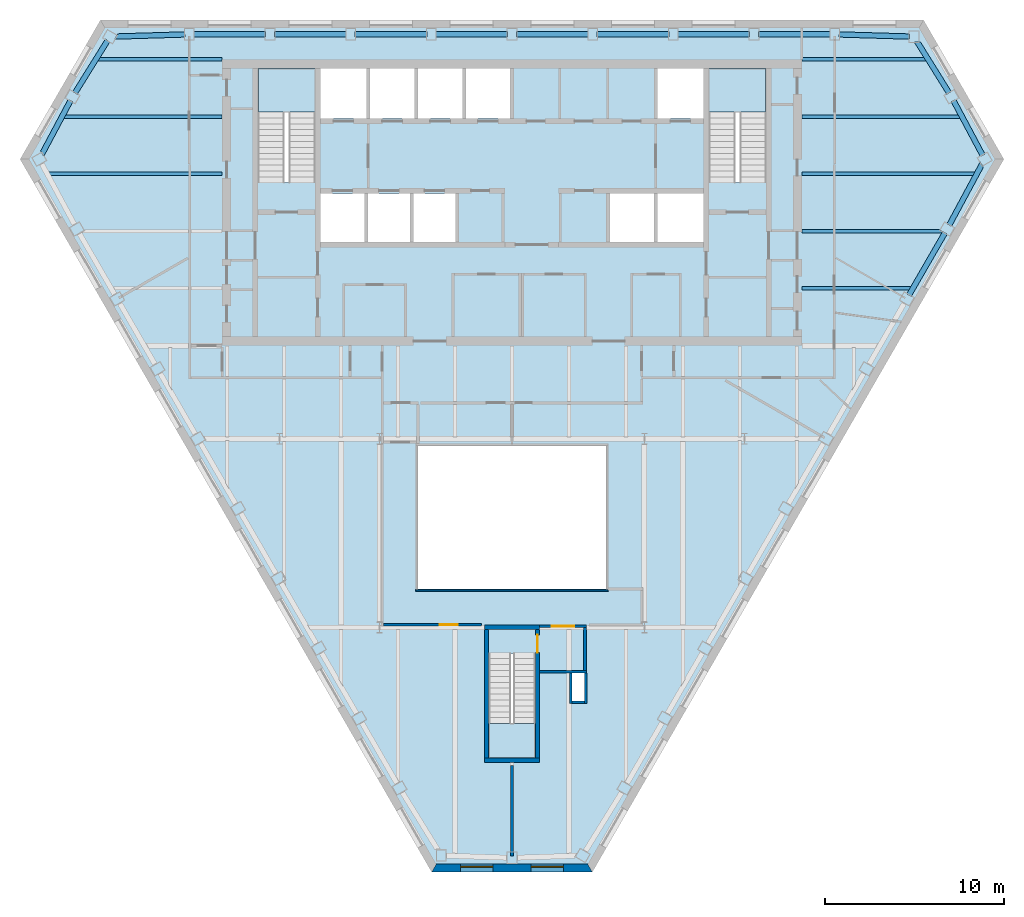
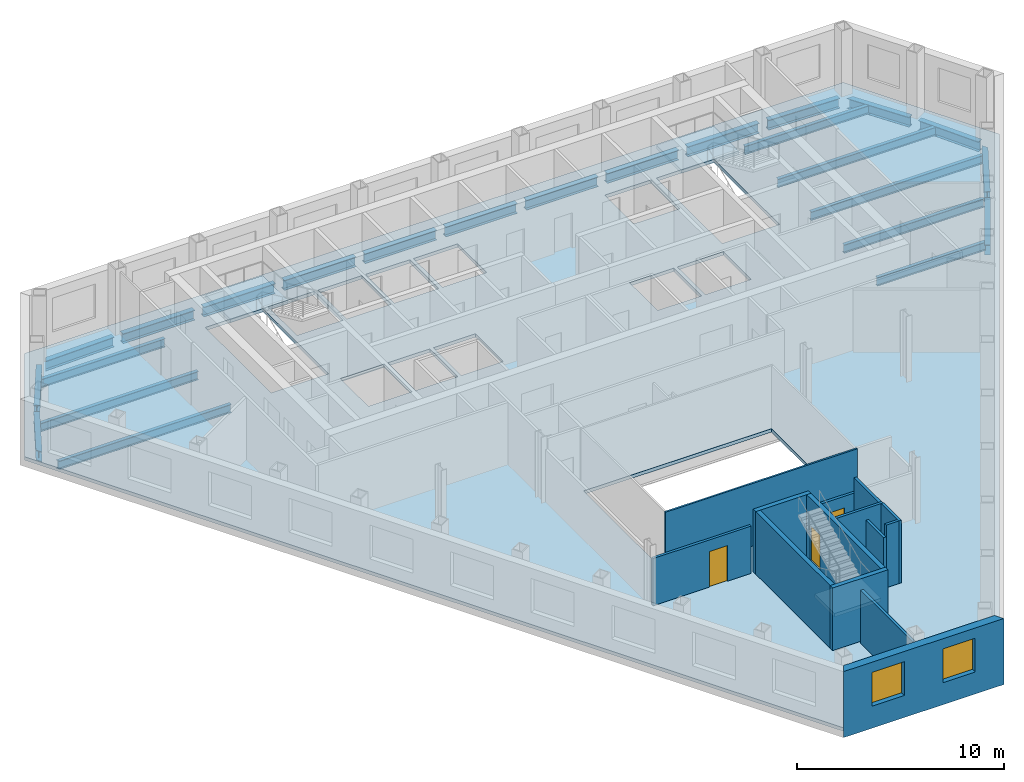
# One storey, part 3 of 11: 24 beams, 14 walls, 4 slabs, 3 doors, 2 windows, 5 openings, 3 elements without a shape of their own.
"""IFC4 building model written with IfcOpenShell, lengths in metres."""

from ifc_helpers import new_model, si_unit, direction, frame, frame_2d, origin, origin_2d, place, context, subcontext, project, spatial, polyline, rectangle, i_section, outline, extrude, clip, halfspace, material, layer, layer_set, material_profile, profile_set, type_object, element, fill, aggregate, save


model = new_model("IFC4")

# Units and contexts
model_context = context("Model", 3, precision=1e-05, world=origin(), true_north=direction((0.0, 1.0)))
body_context = subcontext(model_context, "Body", "Model", "MODEL_VIEW")
ifc_project = project(units=[si_unit("LENGTHUNIT", "METRE"), si_unit("AREAUNIT", "SQUARE_METRE"), si_unit("VOLUMEUNIT", "CUBIC_METRE"), si_unit("PLANEANGLEUNIT", "RADIAN"), si_unit("MASSUNIT", "GRAM", prefix="KILO")], contexts=[model_context])

# Site, building, storey
site_placement = place(None, origin())
site = spatial("IfcSite", under=ifc_project, at=site_placement, CompositionType="ELEMENT")
building_placement = place(site_placement, origin())
building = spatial("IfcBuilding", under=site, at=building_placement, Name="Njiva Tower", CompositionType="ELEMENT")
storey_placement = place(building_placement, frame((0.0, 0.0, 143.7)))
storey = spatial("IfcBuildingStorey", under=building, at=storey_placement, Name="L30", CompositionType="ELEMENT", Elevation=143.7)

# Beams
ifc_material_1 = material(Name="Steel S355 J2", Category="steel")
ifc_material_profile_1 = material_profile(ifc_material_1, i_section(OverallWidth=0.2, OverallDepth=0.5, WebThickness=0.0102, FlangeThickness=0.016, at=origin_2d()), Name="IPE 500")
ifc_profile_set_1 = profile_set([ifc_material_profile_1], Name="Steel S355 J2")
beam_type_1 = type_object("IfcBeamType", Name="B24 Floor beam to the core IPE 500", PredefinedType="BEAM", material=ifc_profile_set_1)
beam_1_placement = place(storey_placement, frame((16.2, 5.2, -0.45), z_axis=(1.0, 0.0, 0.0), x_axis=(0.0, 1.0, 0.0)))
element("IfcBeam", 1, at=beam_1_placement, inside=storey, type_object=beam_type_1, Name="Floor beam to the core S10-B025", PredefinedType="BEAM", context=body_context, shape_type="Clipping", body=[
    clip(extrude(i_section(OverallWidth=0.2, OverallDepth=0.5, WebThickness=0.0102, FlangeThickness=0.016, at=origin_2d()), origin(), (0.0, 0.0, 1.0), 6.164), halfspace(frame((-0.025, 0.0, 6.0711), z_axis=(-0.499998009787, 0.0, 0.866026552831), x_axis=(0.0, 1.0, 0.0)), False)),
])
beam_2_placement = place(storey_placement, frame((16.2, 8.4, -0.45), z_axis=(1.0, 0.0, 0.0), x_axis=(0.0, 1.0, 0.0)))
element("IfcBeam", 2, at=beam_2_placement, inside=storey, type_object=beam_type_1, Name="Floor beam to the core S10-B026", PredefinedType="BEAM", context=body_context, shape_type="Clipping", body=[
    clip(extrude(i_section(OverallWidth=0.2, OverallDepth=0.5, WebThickness=0.0102, FlangeThickness=0.016, at=origin_2d()), origin(), (0.0, 0.0, 1.0), 8.016), halfspace(frame((0.0433, 0.0, 7.7481), z_axis=(0.866026552831, 0.0, 0.499998009787), x_axis=(0.0, 1.0, 0.0)), False)),
])
beam_3_placement = place(storey_placement, frame((-25.11, 14.8, -0.45), z_axis=(1.0, 0.0, 0.0), x_axis=(0.0, 1.0, 0.0)))
element("IfcBeam", 3, at=beam_3_placement, inside=storey, type_object=beam_type_1, Name="Floor beam to the core S10-B020", PredefinedType="BEAM", context=body_context, shape_type="Clipping", body=[
    clip(extrude(i_section(OverallWidth=0.2, OverallDepth=0.5, WebThickness=0.0102, FlangeThickness=0.016, at=origin_2d()), origin(), (0.0, 0.0, 1.0), 8.91), halfspace(frame((0.0235, 0.0, 0.0859), z_axis=(0.470559169346, 0.0, -0.8823684424), x_axis=(0.0, -1.0, 0.0)), False)),
])
beam_4_placement = place(storey_placement, frame((16.2, 14.8, -0.45), z_axis=(1.0, 0.0, 0.0), x_axis=(0.0, 1.0, 0.0)))
element("IfcBeam", 4, at=beam_4_placement, inside=storey, type_object=beam_type_1, Name="Floor beam to the core S10-B029", PredefinedType="BEAM", context=body_context, shape_type="Clipping", body=[
    clip(extrude(i_section(OverallWidth=0.2, OverallDepth=0.5, WebThickness=0.0102, FlangeThickness=0.016, at=origin_2d()), origin(), (0.0, 0.0, 1.0), 8.91), halfspace(frame((0.0235, 0.0, 8.8241), z_axis=(0.470559169346, 0.0, 0.8823684424), x_axis=(0.0, 1.0, 0.0)), False)),
])
beam_5_placement = place(storey_placement, frame((-23.22, 18.0, -0.45), z_axis=(1.0, 0.0, 0.0), x_axis=(0.0, 1.0, 0.0)))
element("IfcBeam", 5, at=beam_5_placement, inside=storey, type_object=beam_type_1, Name="Floor beam to the core S10-B023", PredefinedType="BEAM", context=body_context, shape_type="Clipping", body=[
    clip(extrude(i_section(OverallWidth=0.2, OverallDepth=0.5, WebThickness=0.0102, FlangeThickness=0.016, at=origin_2d()), origin(), (0.0, 0.0, 1.0), 7.02), halfspace(frame((0.0264, 0.0, 0.0986), z_axis=(0.528871278045, 0.0, -0.848702050933), x_axis=(0.0, -1.0, 0.0)), False)),
])
beam_6_placement = place(storey_placement, frame((16.2, 18.0, -0.45), z_axis=(1.0, 0.0, 0.0), x_axis=(0.0, 1.0, 0.0)))
element("IfcBeam", 6, at=beam_6_placement, inside=storey, type_object=beam_type_1, Name="Floor beam to the core S10-B030", PredefinedType="BEAM", context=body_context, shape_type="Clipping", body=[
    clip(extrude(i_section(OverallWidth=0.2, OverallDepth=0.5, WebThickness=0.0102, FlangeThickness=0.016, at=origin_2d()), origin(), (0.0, 0.0, 1.0), 7.02), halfspace(frame((0.0264, 0.0, 6.9214), z_axis=(0.528871278045, 0.0, 0.848702050933), x_axis=(0.0, 1.0, 0.0)), False)),
])
ifc_material_profile_2 = material_profile(ifc_material_1, i_section(OverallWidth=0.3, OverallDepth=0.59, WebThickness=0.013, FlangeThickness=0.025, at=origin_2d()), Name="HEA 600")
ifc_profile_set_2 = profile_set([ifc_material_profile_2], Name="Steel S355 J2")
beam_type_2 = type_object("IfcBeamType", Name="B27 Short-span spandrel beam HEA 600", PredefinedType="SPANDREL", material=ifc_profile_set_2)
beam_7_placement = place(storey_placement, frame((22.212, 19.275, -0.495), z_axis=(-0.999555783921, 0.029803268787, 0.0), x_axis=(-0.029803268787, -0.999555783921, 0.0)))
element("IfcBeam", 7, at=beam_7_placement, inside=storey, type_object=beam_type_2, Name="Short-span spandrel beam S10-B158", PredefinedType="SPANDREL", context=body_context, shape_type="SweptSolid", body=[
    extrude(i_section(OverallWidth=0.3, OverallDepth=0.59, WebThickness=0.013, FlangeThickness=0.025, at=origin_2d()), origin(), (0.0, 0.0, 1.0), 3.9257),
])
beam_8_placement = place(storey_placement, frame((17.784, 19.4, -0.495), z_axis=(-1.0, 0.0, 0.0), x_axis=(0.0, -1.0, 0.0)))
element("IfcBeam", 8, at=beam_8_placement, inside=storey, type_object=beam_type_2, Name="Short-span spandrel beam S10-B153", PredefinedType="SPANDREL", context=body_context, shape_type="SweptSolid", body=[
    extrude(i_section(OverallWidth=0.3, OverallDepth=0.59, WebThickness=0.013, FlangeThickness=0.025, at=origin_2d()), origin(), (0.0, 0.0, 1.0), 4.008),
])
beam_9_placement = place(storey_placement, frame((13.276, 19.4, -0.495), z_axis=(-1.0, 0.0, 0.0), x_axis=(0.0, -1.0, 0.0)))
element("IfcBeam", 9, at=beam_9_placement, inside=storey, type_object=beam_type_2, Name="Short-span spandrel beam S10-B148", PredefinedType="SPANDREL", context=body_context, shape_type="SweptSolid", body=[
    extrude(i_section(OverallWidth=0.3, OverallDepth=0.59, WebThickness=0.013, FlangeThickness=0.025, at=origin_2d()), origin(), (0.0, 0.0, 1.0), 4.009),
])
beam_10_placement = place(storey_placement, frame((8.767, 19.4, -0.495), z_axis=(-1.0, 0.0, 0.0), x_axis=(0.0, -1.0, 0.0)))
element("IfcBeam", 10, at=beam_10_placement, inside=storey, type_object=beam_type_2, Name="Short-span spandrel beam S10-B143", PredefinedType="SPANDREL", context=body_context, shape_type="SweptSolid", body=[
    extrude(i_section(OverallWidth=0.3, OverallDepth=0.59, WebThickness=0.013, FlangeThickness=0.025, at=origin_2d()), origin(), (0.0, 0.0, 1.0), 4.008),
])
for number, where, z_axis, x_axis, name in (
    (11, (4.259, 19.4, -0.495), (-1.0, 0.0, 0.0), (0.0, -1.0, 0.0), "Short-span spandrel beam S10-B140"),
    (12, (-0.25, 19.4, -0.495), (-1.0, 0.0, 0.0), (0.0, -1.0, 0.0), "Short-span spandrel beam S10-B135"),
):
    element("IfcBeam", number, at=place(storey_placement, frame(where, z_axis=z_axis, x_axis=x_axis)), inside=storey, type_object=beam_type_2, Name=name, PredefinedType="SPANDREL", context=body_context, shape_type="SweptSolid", body=[
        extrude(i_section(OverallWidth=0.3, OverallDepth=0.59, WebThickness=0.013, FlangeThickness=0.025, at=origin_2d()), origin(), (0.0, 0.0, 1.0), 4.009),
    ])
beam_11_placement = place(storey_placement, frame((-4.759, 19.4, -0.495), z_axis=(-1.0, 0.0, 0.0), x_axis=(0.0, -1.0, 0.0)))
element("IfcBeam", 13, at=beam_11_placement, inside=storey, type_object=beam_type_2, Name="Short-span spandrel beam S10-B130", PredefinedType="SPANDREL", context=body_context, shape_type="SweptSolid", body=[
    extrude(i_section(OverallWidth=0.3, OverallDepth=0.59, WebThickness=0.013, FlangeThickness=0.025, at=origin_2d()), origin(), (0.0, 0.0, 1.0), 4.008),
])
beam_12_placement = place(storey_placement, frame((-9.267, 19.4, -0.495), z_axis=(-1.0, 0.0, 0.0), x_axis=(0.0, -1.0, 0.0)))
element("IfcBeam", 14, at=beam_12_placement, inside=storey, type_object=beam_type_2, Name="Short-span spandrel beam S10-B125", PredefinedType="SPANDREL", context=body_context, shape_type="SweptSolid", body=[
    extrude(i_section(OverallWidth=0.3, OverallDepth=0.59, WebThickness=0.013, FlangeThickness=0.025, at=origin_2d()), origin(), (0.0, 0.0, 1.0), 4.009),
])
beam_13_placement = place(storey_placement, frame((-13.776, 19.4, -0.495), z_axis=(-1.0, 0.0, 0.0), x_axis=(0.0, -1.0, 0.0)))
element("IfcBeam", 15, at=beam_13_placement, inside=storey, type_object=beam_type_2, Name="Short-span spandrel beam S10-B120", PredefinedType="SPANDREL", context=body_context, shape_type="SweptSolid", body=[
    extrude(i_section(OverallWidth=0.3, OverallDepth=0.59, WebThickness=0.013, FlangeThickness=0.025, at=origin_2d()), origin(), (0.0, 0.0, 1.0), 4.008),
])
beam_14_placement = place(storey_placement, frame((-18.288, 19.392, -0.495), z_axis=(-0.999548579163, -0.030043932724, 0.0), x_axis=(0.030043932724, -0.999548579163, 0.0)))
element("IfcBeam", 16, at=beam_14_placement, inside=storey, type_object=beam_type_2, Name="Short-span spandrel beam S10-B115", PredefinedType="SPANDREL", context=body_context, shape_type="Clipping", body=[
    clip(extrude(i_section(OverallWidth=0.3, OverallDepth=0.59, WebThickness=0.013, FlangeThickness=0.025, at=origin_2d()), origin(), (0.0, 0.0, 1.0), 3.9407), halfspace(frame((-0.0268, 0.0, 3.811), z_axis=(-0.525791143758, 0.0, 0.850613703832), x_axis=(0.0, 1.0, 0.0)), False)),
])
beam_15_placement = place(storey_placement, frame((-22.601, 19.051, -0.495), z_axis=(-0.528771635486, -0.848764135379, 0.0), x_axis=(0.848764135379, -0.528771635486, 0.0)))
element("IfcBeam", 17, at=beam_15_placement, inside=storey, type_object=beam_type_2, Name="Short-span spandrel beam S10-B112", PredefinedType="SPANDREL", context=body_context, shape_type="SweptSolid", body=[
    extrude(i_section(OverallWidth=0.3, OverallDepth=0.59, WebThickness=0.013, FlangeThickness=0.025, at=origin_2d()), origin(), (0.0, 0.0, 1.0), 3.4438),
])
beam_16_placement = place(storey_placement, frame((-24.677, 15.687, -0.495), z_axis=(-0.470495144378, -0.882402583358, 0.0), x_axis=(0.882402583358, -0.470495144378, 0.0)))
element("IfcBeam", 18, at=beam_16_placement, inside=storey, type_object=beam_type_2, Name="Short-span spandrel beam S10-B109", PredefinedType="SPANDREL", context=body_context, shape_type="Clipping", body=[
    clip(extrude(i_section(OverallWidth=0.3, OverallDepth=0.59, WebThickness=0.013, FlangeThickness=0.025, at=origin_2d()), origin(), (0.0, 0.0, 1.0), 3.4584), halfspace(frame((-0.0266, 0.0, 3.3296), z_axis=(-0.528937431671, 0.0, 0.84866082352), x_axis=(0.0, 1.0, 0.0)), False)),
])
beam_17_placement = place(storey_placement, frame((22.188, 4.831, -0.495), z_axis=(0.500003221507, 0.866023543838, 0.0), x_axis=(-0.866023543838, 0.500003221507, 0.0)))
element("IfcBeam", 19, at=beam_17_placement, inside=storey, type_object=beam_type_2, Name="Short-span spandrel beam S10-B162", PredefinedType="SPANDREL", context=body_context, shape_type="SweptSolid", body=[
    extrude(i_section(OverallWidth=0.3, OverallDepth=0.59, WebThickness=0.013, FlangeThickness=0.025, at=origin_2d()), origin(), (0.0, 0.0, 1.0), 4.008),
])
beam_18_placement = place(storey_placement, frame((24.437, 8.742, -0.495), z_axis=(0.473866139808, 0.880596889356, 0.0), x_axis=(-0.880596889356, 0.473866139808, 0.0)))
element("IfcBeam", 20, at=beam_18_placement, inside=storey, type_object=beam_type_2, Name="Short-span spandrel beam S10-B166", PredefinedType="SPANDREL", context=body_context, shape_type="Clipping", body=[
    clip(extrude(i_section(OverallWidth=0.3, OverallDepth=0.59, WebThickness=0.013, FlangeThickness=0.025, at=origin_2d()), origin(), (0.0, 0.0, 1.0), 3.9411), halfspace(frame((-0.026, 0.0, 3.8116), z_axis=(-0.525688161714, 0.0, 0.850677351664), x_axis=(0.0, 1.0, 0.0)), False)),
])
beam_19_placement = place(storey_placement, frame((26.298, 12.647, -0.495), z_axis=(-0.470512906358, 0.882393112479, 0.0), x_axis=(-0.882393112479, -0.470512906358, 0.0)))
element("IfcBeam", 21, at=beam_19_placement, inside=storey, type_object=beam_type_2, Name="Short-span spandrel beam S10-B167", PredefinedType="SPANDREL", context=body_context, shape_type="SweptSolid", body=[
    extrude(i_section(OverallWidth=0.3, OverallDepth=0.59, WebThickness=0.013, FlangeThickness=0.025, at=origin_2d()), origin(), (0.0, 0.0, 1.0), 3.4452),
])
beam_20_placement = place(storey_placement, frame((24.422, 16.128, -0.495), z_axis=(-0.528842954955, 0.848719699897, 0.0), x_axis=(-0.848719699897, -0.528842954955, 0.0)))
element("IfcBeam", 22, at=beam_20_placement, inside=storey, type_object=beam_type_2, Name="Short-span spandrel beam S10-B163", PredefinedType="SPANDREL", context=body_context, shape_type="Clipping", body=[
    clip(extrude(i_section(OverallWidth=0.3, OverallDepth=0.59, WebThickness=0.013, FlangeThickness=0.025, at=origin_2d()), origin(), (0.0, 0.0, 1.0), 3.458), halfspace(frame((-0.0266, 0.0, 3.3285), z_axis=(-0.528842954955, 0.0, 0.848719699897), x_axis=(0.0, 1.0, 0.0)), False)),
])
ifc_material_profile_3 = material_profile(ifc_material_1, i_section(OverallWidth=0.2, OverallDepth=0.5, WebThickness=0.0102, FlangeThickness=0.016, at=origin_2d()), Name="IPE 500")
ifc_profile_set_3 = profile_set([ifc_material_profile_3], Name="Steel S355 J2")
beam_type_3 = type_object("IfcBeamType", Name="B33 Long-span floor beam to the core IPE 500", PredefinedType="BEAM", material=ifc_profile_set_3)
beam_21_placement = place(storey_placement, frame((-25.935, 11.6, -0.45), z_axis=(1.0, 0.0, 0.0), x_axis=(0.0, 1.0, 0.0)))
element("IfcBeam", 23, at=beam_21_placement, inside=storey, type_object=beam_type_3, Name="Long-span floor beam to the core S10-B019", PredefinedType="BEAM", context=body_context, shape_type="Clipping", body=[
    clip(extrude(i_section(OverallWidth=0.2, OverallDepth=0.5, WebThickness=0.0102, FlangeThickness=0.016, at=origin_2d()), origin(), (0.0, 0.0, 1.0), 9.735), halfspace(frame((-0.0237, 0.0, 0.0866), z_axis=(-0.473777178452, 0.0, -0.88064475538), x_axis=(0.0, -1.0, 0.0)), False)),
])
beam_22_placement = place(storey_placement, frame((16.2, 11.6, -0.45), z_axis=(1.0, 0.0, 0.0), x_axis=(0.0, 1.0, 0.0)))
element("IfcBeam", 24, at=beam_22_placement, inside=storey, type_object=beam_type_3, Name="Long-span floor beam to the core S10-B028", PredefinedType="BEAM", context=body_context, shape_type="Clipping", body=[
    clip(extrude(i_section(OverallWidth=0.2, OverallDepth=0.5, WebThickness=0.0102, FlangeThickness=0.016, at=origin_2d()), origin(), (0.0, 0.0, 1.0), 9.735), halfspace(frame((-0.0237, 0.0, 9.6484), z_axis=(-0.473777178452, 0.0, 0.88064475538), x_axis=(0.0, 1.0, 0.0)), False)),
])

# Stair, slab
ifc_material_2 = material(Name="Concrete C40/50", Category="concrete")
stair_type_1 = type_object("IfcStairType", Name="ST4 Exit stair 1500", PredefinedType="HALF_TURN_STAIR", material=ifc_material_2)
stair_1_placement = place(storey_placement, origin())
stair_1 = element("IfcStair", 25, at=stair_1_placement, inside=storey, type_object=stair_type_1, Name="Stair A", PredefinedType="HALF_TURN_STAIR")
ifc_layer_1 = layer(ifc_material_2, 0.2)
ifc_layer_set_1 = layer_set([ifc_layer_1], Name="Concrete C40/50")
slab_type_1 = type_object("IfcSlabType", Name="FL9 Stair landing 200", PredefinedType="LANDING", material=ifc_layer_set_1)
slab_1_placement = place(storey_placement, frame((0.0, 0.0, 1.75)))
slab_1 = element("IfcSlab", 26, at=slab_1_placement, type_object=slab_type_1, Name="ST-A landing 1", PredefinedType="LANDING", context=body_context, shape_type="SweptSolid", body=[
    extrude(outline(polyline([(-14.206, 15.06), (-10.994, 15.06), (-10.994, 17.5), (-14.206, 17.5), (-14.206, 15.06)])), origin(), (0.0, 0.0, 1.0), 0.2),
])
aggregate(stair_1, [slab_1])

stair_2_placement = place(storey_placement, origin())
stair_2 = element("IfcStair", 27, at=stair_2_placement, inside=storey, type_object=stair_type_1, Name="Stair B", PredefinedType="HALF_TURN_STAIR")
slab_2_placement = place(storey_placement, frame((0.0, 0.0, 1.75)))
slab_2 = element("IfcSlab", 28, at=slab_2_placement, type_object=slab_type_1, Name="ST-B landing 1", PredefinedType="LANDING", context=body_context, shape_type="SweptSolid", body=[
    extrude(outline(polyline([(10.994, 15.06), (14.206, 15.06), (14.206, 17.5), (10.994, 17.5), (10.994, 15.06)])), origin(), (0.0, 0.0, 1.0), 0.2),
])
aggregate(stair_2, [slab_2])

stair_type_2 = type_object("IfcStairType", Name="ST1 Exit stair 1250", PredefinedType="HALF_TURN_STAIR", material=ifc_material_2)
stair_3_placement = place(storey_placement, origin())
stair_3 = element("IfcStair", 29, at=stair_3_placement, inside=storey, type_object=stair_type_2, Name="Stair C", PredefinedType="HALF_TURN_STAIR")
slab_3_placement = place(storey_placement, frame((0.0, 0.0, 1.75)))
slab_3 = element("IfcSlab", 30, at=slab_3_placement, type_object=slab_type_1, Name="ST-C landing 1", PredefinedType="LANDING", context=body_context, shape_type="SweptSolid", body=[
    extrude(outline(polyline([(-1.306, -21.05), (1.306, -21.05), (1.306, -19.12), (-1.306, -19.12), (-1.306, -21.05)])), origin(), (0.0, 0.0, 1.0), 0.2),
])
aggregate(stair_3, [slab_3])

# Slab
ifc_material_3 = material(Name="Concrete C30/37", Category="concrete")
ifc_layer_2 = layer(ifc_material_3, 0.2)
ifc_layer_set_2 = layer_set([ifc_layer_2], Name="Concrete C30/37")
slab_type_2 = type_object("IfcSlabType", Name="SL16 Composite floor slab 200", PredefinedType="FLOOR", material=ifc_layer_set_2)
slab_4_placement = place(storey_placement, frame((0.0, 0.0, -0.2)))
element("IfcSlab", 31, at=slab_4_placement, inside=storey, type_object=slab_type_2, Name="Floor slab L30", PredefinedType="FLOOR", context=body_context, shape_type="SweptSolid", body=[
    extrude(outline(polyline([(27.2352, 12.4231), (4.3601, -27.1977), (-4.3601, -27.1977), (-27.2352, 12.4231), (-22.8751, 19.975), (22.8751, 19.975), (27.2352, 12.4231)]), holes=[polyline([(10.994, 11.13), (14.206, 11.13), (14.206, 17.5), (10.994, 17.5), (10.994, 11.13)]), polyline([(8.125, 14.7), (10.7, 14.7), (10.7, 17.5), (8.125, 17.5), (8.125, 14.7)]), polyline([(8.1333, 7.8), (10.7, 7.8), (10.7, 10.5), (8.1333, 10.5), (8.1333, 7.8)]), polyline([(5.4667, 7.8), (7.9333, 7.8), (7.9333, 10.5), (5.4667, 10.5), (5.4667, 7.8)]), polyline([(5.25, -11.6), (5.25, -3.6), (-5.25, -3.6), (-5.25, -11.6), (5.25, -11.6)]), polyline([(3.35, -17.85), (4.05, -17.85), (4.05, -16.3), (3.35, -16.3), (3.35, -17.85)]), polyline([(-1.306, -21.05), (1.306, -21.05), (1.306, -15.19), (-1.306, -15.19), (-1.306, -21.05)]), polyline([(-2.575, 14.7), (-0.1, 14.7), (-0.1, 17.5), (-2.575, 17.5), (-2.575, 14.7)]), polyline([(-5.25, 14.7), (-2.775, 14.7), (-2.775, 17.5), (-5.25, 17.5), (-5.25, 14.7)]), polyline([(-5.5, 7.8), (-3.15, 7.8), (-3.15, 10.5), (-5.5, 10.5), (-5.5, 7.8)]), polyline([(-7.925, 14.7), (-5.45, 14.7), (-5.45, 17.5), (-7.925, 17.5), (-7.925, 14.7)]), polyline([(-8.05, 7.8), (-5.7, 7.8), (-5.7, 10.5), (-8.05, 10.5), (-8.05, 7.8)]), polyline([(-10.7, 14.7), (-8.125, 14.7), (-8.125, 17.5), (-10.7, 17.5), (-10.7, 14.7)]), polyline([(-8.25, 7.8), (-8.25, 10.5), (-10.7, 10.5), (-10.7, 7.8), (-8.25, 7.8)]), polyline([(-14.206, 11.13), (-10.994, 11.13), (-10.994, 17.5), (-14.206, 17.5), (-14.206, 11.13)])]), origin(), (0.0, 0.0, 1.0), 0.2),
])

# Wall, opening, door
ifc_material_4 = material(Name="Gypsum board on steel studs", Category="gypsum")
ifc_layer_3 = layer(ifc_material_4, 0.15)
ifc_layer_set_3 = layer_set([ifc_layer_3], Name="Gypsum board on steel studs")
wall_type_1 = type_object("IfcWallType", Name="WT21 Compartment wall 150", PredefinedType="PARTITIONING", material=ifc_layer_set_3)
wall_1_placement = place(storey_placement, frame((-7.175, -13.6, 0.0), z_axis=(0.0, 0.0, 1.0), x_axis=(1.0, 0.0, 0.0)))
wall_1 = element("IfcWall", 32, at=wall_1_placement, inside=storey, type_object=wall_type_1, Name="Partition S10-P011", PredefinedType="PARTITIONING", context=body_context, shape_type="SweptSolid", body=[
    extrude(rectangle(XDim=5.475, YDim=0.15, at=frame_2d((2.7375, 0.0))), origin(), (0.0, 0.0, 1.0), 2.79),
])
opening_1_placement = place(wall_1_placement, frame((3.143, 0.0, 0.0)))
opening_1 = element("IfcOpeningElement", 33, at=opening_1_placement, cuts=wall_1, Name="Opening S10-D007", PredefinedType="OPENING", context=body_context, shape_type="SweptSolid", body=[
    extrude(rectangle(XDim=1.0, YDim=2.1, at=frame_2d((0.5, 1.05))), frame((0.0, 0.085, 0.0), z_axis=(0.0, -1.0, 0.0), x_axis=(1.0, 0.0, 0.0)), (0.0, 0.0, 1.0), 0.17),
])
ifc_material_5 = material(Name="Steel fire door set", Category="steel")
door_type_1 = type_object("IfcDoorType", Name="D37 Fire door 1000x2100", OperationType="SINGLE_SWING_LEFT", PredefinedType="DOOR", material=ifc_material_5)
door_1_placement = place(opening_1_placement, origin())
door_1 = element("IfcDoor", 34, at=door_1_placement, inside=storey, type_object=door_type_1, Name="Door S10-D007", OperationType="SINGLE_SWING_RIGHT", OverallHeight=2.1, OverallWidth=1.0, PredefinedType="DOOR", context=body_context, shape_type="SweptSolid", body=[
    extrude(rectangle(XDim=1.0, YDim=2.1, at=frame_2d((0.5, 1.05))), frame((0.0, 0.025, 0.0), z_axis=(0.0, -1.0, 0.0), x_axis=(1.0, 0.0, 0.0)), (0.0, 0.0, 1.0), 0.05),
])
fill(opening_1, door_1)

# Walls
wall_2_placement = place(storey_placement, frame((0.0, -26.523, 0.0), z_axis=(0.0, 0.0, 1.0), x_axis=(0.0, 1.0, 0.0)))
element("IfcWall", 35, at=wall_2_placement, inside=storey, type_object=wall_type_1, Name="Partition S10-P016", PredefinedType="PARTITIONING", context=body_context, shape_type="SweptSolid", body=[
    extrude(rectangle(XDim=5.073, YDim=0.15, at=frame_2d((2.5365, 0.0))), origin(), (0.0, 0.0, 1.0), 3.15),
])
ifc_material_6 = material(Name="Blockwork", Category="masonry")
ifc_layer_4 = layer(ifc_material_6, 0.15)
ifc_layer_set_4 = layer_set([ifc_layer_4], Name="Blockwork")
wall_type_2 = type_object("IfcWallType", Name="WT4 Stair partition 150", PredefinedType="PARTITIONING", material=ifc_layer_set_4)
wall_3_placement = place(storey_placement, frame((1.55, -16.225, 0.0), z_axis=(0.0, 0.0, 1.0), x_axis=(1.0, 0.0, 0.0)))
element("IfcWall", 36, at=wall_3_placement, inside=storey, type_object=wall_type_2, Name="Stair C vestibule wall south", PredefinedType="PARTITIONING", context=body_context, shape_type="SweptSolid", body=[
    extrude(rectangle(XDim=2.6, YDim=0.15, at=frame_2d((1.3, 0.0))), origin(), (0.0, 0.0, 1.0), 3.7),
])
wall_4_placement = place(storey_placement, frame((4.075, -16.15, 0.0), z_axis=(0.0, 0.0, 1.0), x_axis=(0.0, 1.0, 0.0)))
element("IfcWall", 37, at=wall_4_placement, inside=storey, type_object=wall_type_2, Name="Stair C vestibule wall east", PredefinedType="PARTITIONING", context=body_context, shape_type="SweptSolid", body=[
    extrude(rectangle(XDim=2.4, YDim=0.15, at=frame_2d((1.2, 0.0))), origin(), (0.0, 0.0, 1.0), 3.7),
])

# Wall, opening, door
wall_5_placement = place(storey_placement, frame((1.55, -13.675, 0.0), z_axis=(0.0, 0.0, 1.0), x_axis=(1.0, 0.0, 0.0)))
wall_5 = element("IfcWall", 38, at=wall_5_placement, inside=storey, type_object=wall_type_2, Name="Stair C vestibule wall north", PredefinedType="PARTITIONING", context=body_context, shape_type="SweptSolid", body=[
    extrude(rectangle(XDim=2.6, YDim=0.15, at=frame_2d((1.3, 0.0))), origin(), (0.0, 0.0, 1.0), 2.79),
])
opening_2_placement = place(wall_5_placement, frame((0.675, 0.0, 0.0)))
opening_2 = element("IfcOpeningElement", 39, at=opening_2_placement, cuts=wall_5, Name="Opening S10-D942", PredefinedType="OPENING", context=body_context, shape_type="SweptSolid", body=[
    extrude(rectangle(XDim=1.25, YDim=2.1, at=frame_2d((0.625, 1.05))), frame((0.0, 0.085, 0.0), z_axis=(0.0, -1.0, 0.0), x_axis=(1.0, 0.0, 0.0)), (0.0, 0.0, 1.0), 0.17),
])
ifc_material_7 = material(Name="Glazed steel fire door", Category="steel")
door_type_2 = type_object("IfcDoorType", Name="D8 Vestibule corridor door 1250x2100 glazed", OperationType="SINGLE_SWING_LEFT", PredefinedType="DOOR", material=ifc_material_7)
door_2_placement = place(opening_2_placement, origin())
door_2 = element("IfcDoor", 40, at=door_2_placement, inside=storey, type_object=door_type_2, Name="Stair vestibule corridor door", OperationType="SINGLE_SWING_RIGHT", OverallHeight=2.1, OverallWidth=1.25, PredefinedType="DOOR", context=body_context, shape_type="SweptSolid", body=[
    extrude(rectangle(XDim=1.25, YDim=2.1, at=frame_2d((0.625, 1.05))), frame((0.0, 0.025, 0.0), z_axis=(0.0, -1.0, 0.0), x_axis=(1.0, 0.0, 0.0)), (0.0, 0.0, 1.0), 0.05),
])
fill(opening_2, door_2)

# Walls
wall_6_placement = place(storey_placement, frame((3.275, -18.0, 0.0), z_axis=(0.0, 0.0, 1.0), x_axis=(0.0, 1.0, 0.0)))
element("IfcWall", 41, at=wall_6_placement, inside=storey, type_object=wall_type_2, Name="Stair C pressurisation shaft wall", PredefinedType="PARTITIONING", context=body_context, shape_type="SweptSolid", body=[
    extrude(rectangle(XDim=1.7, YDim=0.15, at=frame_2d((0.85, 0.0))), origin(), (0.0, 0.0, 1.0), 3.01),
])
wall_7_placement = place(storey_placement, frame((3.35, -17.925, 0.0), z_axis=(0.0, 0.0, 1.0), x_axis=(1.0, 0.0, 0.0)))
element("IfcWall", 42, at=wall_7_placement, inside=storey, type_object=wall_type_2, Name="Stair C pressurisation shaft wall", PredefinedType="PARTITIONING", context=body_context, shape_type="SweptSolid", body=[
    extrude(rectangle(XDim=0.7, YDim=0.15, at=frame_2d((0.35, 0.0))), origin(), (0.0, 0.0, 1.0), 3.7),
])
wall_8_placement = place(storey_placement, frame((4.125, -18.0, 0.0), z_axis=(0.0, 0.0, 1.0), x_axis=(0.0, 1.0, 0.0)))
element("IfcWall", 43, at=wall_8_placement, inside=storey, type_object=wall_type_2, Name="Stair C pressurisation shaft wall", PredefinedType="PARTITIONING", context=body_context, shape_type="SweptSolid", body=[
    extrude(rectangle(XDim=1.7, YDim=0.15, at=frame_2d((0.85, 0.0))), origin(), (0.0, 0.0, 1.0), 3.7),
])
ifc_layer_5 = layer(ifc_material_2, 0.25)
ifc_layer_set_5 = layer_set([ifc_layer_5], Name="Concrete C40/50")
wall_type_3 = type_object("IfcWallType", Name="WT9 Stair enclosure wall 250", PredefinedType="SHEAR", material=ifc_layer_set_5)
wall_9_placement = place(storey_placement, frame((-1.425, -21.05, 0.0), z_axis=(0.0, 0.0, 1.0), x_axis=(0.0, 1.0, 0.0)))
element("IfcWall", 44, at=wall_9_placement, inside=storey, type_object=wall_type_3, Name="Stair C wall west", PredefinedType="SHEAR", context=body_context, shape_type="SweptSolid", body=[
    extrude(rectangle(XDim=7.2, YDim=0.25, at=frame_2d((3.6, 0.0))), origin(), (0.0, 0.0, 1.0), 3.7),
])

# Wall, opening, door
wall_10_placement = place(storey_placement, frame((1.425, -21.05, 0.0), z_axis=(0.0, 0.0, 1.0), x_axis=(0.0, 1.0, 0.0)))
wall_10 = element("IfcWall", 45, at=wall_10_placement, inside=storey, type_object=wall_type_3, Name="Stair C wall east", PredefinedType="SHEAR", context=body_context, shape_type="SweptSolid", body=[
    extrude(rectangle(XDim=7.2, YDim=0.25, at=frame_2d((3.6, 0.0))), origin(), (0.0, 0.0, 1.0), 3.7),
])
opening_3_placement = place(wall_10_placement, frame((5.89, 0.0, 0.0)))
opening_3 = element("IfcOpeningElement", 46, at=opening_3_placement, cuts=wall_10, Name="Opening S10-D941", PredefinedType="OPENING", context=body_context, shape_type="SweptSolid", body=[
    extrude(rectangle(XDim=1.0, YDim=2.1, at=frame_2d((0.5, 1.05))), frame((0.0, 0.135, 0.0), z_axis=(0.0, -1.0, 0.0), x_axis=(1.0, 0.0, 0.0)), (0.0, 0.0, 1.0), 0.27),
])
door_type_3 = type_object("IfcDoorType", Name="D9 Stair vestibule door 1000x2100 glazed", OperationType="SINGLE_SWING_LEFT", PredefinedType="DOOR", material=ifc_material_7)
door_3_placement = place(opening_3_placement, origin())
door_3 = element("IfcDoor", 47, at=door_3_placement, inside=storey, type_object=door_type_3, Name="Stair C door", OperationType="SINGLE_SWING_LEFT", OverallHeight=2.1, OverallWidth=1.0, PredefinedType="DOOR", context=body_context, shape_type="SweptSolid", body=[
    extrude(rectangle(XDim=1.0, YDim=2.1, at=frame_2d((0.5, 1.05))), frame((0.0, 0.025, 0.0), z_axis=(0.0, -1.0, 0.0), x_axis=(1.0, 0.0, 0.0)), (0.0, 0.0, 1.0), 0.05),
])
fill(opening_3, door_3)

# Walls
for number, where, z_axis, x_axis, name in (
    (48, (-1.55, -21.175, 0.0), (0.0, 0.0, 1.0), (1.0, 0.0, 0.0), "Stair C wall south"),
    (49, (-1.55, -13.725, 0.0), (0.0, 0.0, 1.0), (1.0, 0.0, 0.0), "Stair C wall north"),
):
    element("IfcWall", number, at=place(storey_placement, frame(where, z_axis=z_axis, x_axis=x_axis)), inside=storey, type_object=wall_type_3, Name=name, PredefinedType="SHEAR", context=body_context, shape_type="SweptSolid", body=[
        extrude(rectangle(XDim=3.1, YDim=0.25, at=frame_2d((1.55, 0.0))), origin(), (0.0, 0.0, 1.0), 3.7),
    ])

# Wall, openings, windows
ifc_material_8 = material(Name="Brick masonry, buff", Category="masonry")
ifc_layer_6 = layer(ifc_material_8, 0.45)
ifc_layer_set_6 = layer_set([ifc_layer_6], Name="Brick masonry, buff")
wall_type_4 = type_object("IfcWallType", Name="WT94 Brick pier and spandrel wall 450, buff", PredefinedType="SOLIDWALL", material=ifc_layer_set_6)
wall_11_placement = place(storey_placement, frame((-4.3601, -27.1977, -0.4), z_axis=(0.0, 0.0, 1.0), x_axis=(1.0, 0.0, 0.0)))
wall_11 = element("IfcWall", 50, at=wall_11_placement, inside=storey, type_object=wall_type_4, Name="Facade wall S", PredefinedType="SOLIDWALL", context=body_context, shape_type="SweptSolid", body=[
    extrude(outline(polyline([(-0.1299, -0.225), (8.8501, -0.225), (8.5903, 0.225), (0.1299, 0.225), (-0.1299, -0.225)])), origin(), (0.0, 0.0, 1.0), 3.9),
])
opening_4_placement = place(wall_11_placement, frame((1.4844, 0.0, 1.3)))
opening_4 = element("IfcOpeningElement", 51, at=opening_4_placement, cuts=wall_11, Name="Opening S10-W22", PredefinedType="OPENING", context=body_context, shape_type="SweptSolid", body=[
    extrude(rectangle(XDim=1.8, YDim=2.0, at=frame_2d((0.9, 1.0))), frame((0.0, 0.235, 0.0), z_axis=(0.0, -1.0, 0.0), x_axis=(1.0, 0.0, 0.0)), (0.0, 0.0, 1.0), 0.47),
])
opening_5_placement = place(wall_11_placement, frame((5.4357, 0.0, 1.3)))
opening_5 = element("IfcOpeningElement", 52, at=opening_5_placement, cuts=wall_11, Name="Opening S10-W23", PredefinedType="OPENING", context=body_context, shape_type="SweptSolid", body=[
    extrude(rectangle(XDim=1.8, YDim=2.0, at=frame_2d((0.9, 1.0))), frame((0.0, 0.235, 0.0), z_axis=(0.0, -1.0, 0.0), x_axis=(1.0, 0.0, 0.0)), (0.0, 0.0, 1.0), 0.47),
])
ifc_material_9 = material(Name="Clear glazing in aluminium frame", Category="aluminium")
window_type = type_object("IfcWindowType", Name="W94 Deep-set window 1800x2000", PartitioningType="SINGLE_PANEL", PredefinedType="WINDOW", material=ifc_material_9)
window_1_placement = place(opening_4_placement, origin())
window_1 = element("IfcWindow", 53, at=window_1_placement, inside=storey, type_object=window_type, Name="Window", OverallHeight=2.0, OverallWidth=1.8, PartitioningType="SINGLE_PANEL", PredefinedType="WINDOW", context=body_context, shape_type="SweptSolid", body=[
    extrude(rectangle(XDim=1.8, YDim=2.0, at=frame_2d((0.9, 1.0))), frame((0.0, 0.105, 0.0), z_axis=(0.0, -1.0, 0.0), x_axis=(1.0, 0.0, 0.0)), (0.0, 0.0, 1.0), 0.06),
])
fill(opening_4, window_1)
window_2_placement = place(opening_5_placement, origin())
window_2 = element("IfcWindow", 54, at=window_2_placement, inside=storey, type_object=window_type, Name="Window", OverallHeight=2.0, OverallWidth=1.8, PartitioningType="SINGLE_PANEL", PredefinedType="WINDOW", context=body_context, shape_type="SweptSolid", body=[
    extrude(rectangle(XDim=1.8, YDim=2.0, at=frame_2d((0.9, 1.0))), frame((0.0, 0.105, 0.0), z_axis=(0.0, -1.0, 0.0), x_axis=(1.0, 0.0, 0.0)), (0.0, 0.0, 1.0), 0.06),
])
fill(opening_5, window_2)

# Wall
ifc_material_10 = material(Name="Fire-resisting glazing EI 90", Category="glass")
ifc_layer_7 = layer(ifc_material_10, 0.1)
ifc_layer_set_7 = layer_set([ifc_layer_7], Name="Fire-resisting glazing EI 90")
wall_type_5 = type_object("IfcWallType", Name="WT95 Fire-resisting glazed screen EI 90", PredefinedType="PARTITIONING", material=ifc_layer_set_7)
wall_12_placement = place(storey_placement, frame((-5.37, -11.67, 0.0), z_axis=(0.0, 0.0, 1.0), x_axis=(1.0, 0.0, 0.0)))
element("IfcWall", 55, at=wall_12_placement, inside=storey, type_object=wall_type_5, Name="Atrium fire screen south", PredefinedType="PARTITIONING", context=body_context, shape_type="SweptSolid", body=[
    extrude(rectangle(XDim=10.74, YDim=0.1, at=frame_2d((5.37, 0.0))), origin(), (0.0, 0.0, 1.0), 3.7),
])

save(model, "model.ifc")
